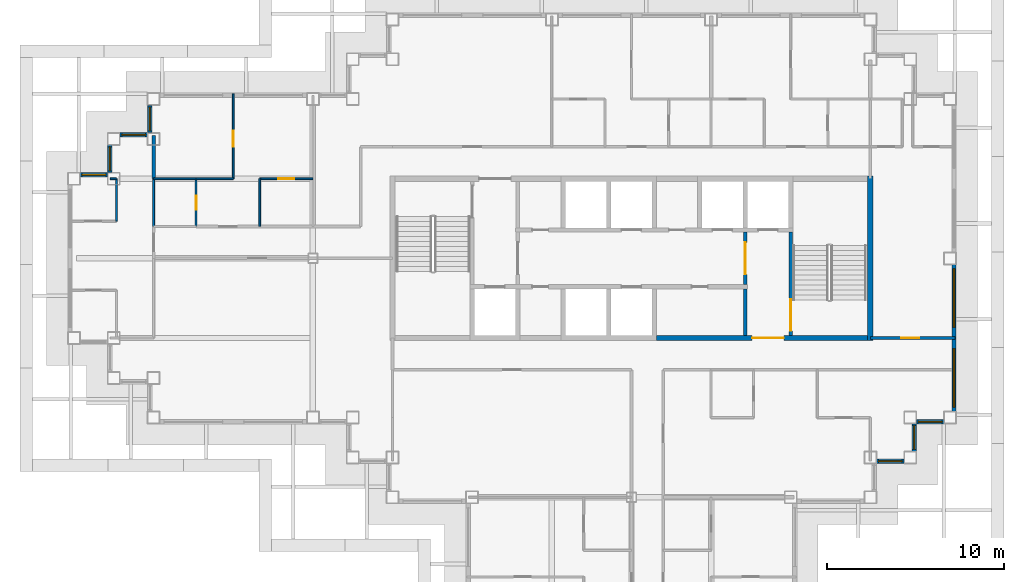
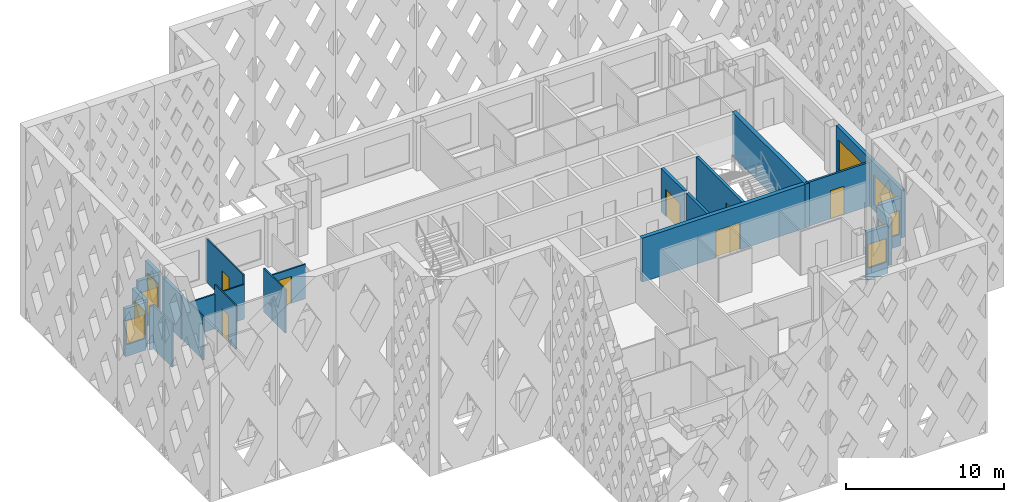
# One storey, part 5 of 17: 24 walls, 9 windows, 7 doors, 16 openings.
"""IFC4 building model written with IfcOpenShell, lengths in metres."""

from ifc_helpers import new_model, si_unit, direction, frame, frame_2d, origin, place, context, subcontext, project, spatial, rectangle, extrude, material, layer, layer_set, type_object, element, fill, save


model = new_model("IFC4")

# Units and contexts
model_context = context("Model", 3, precision=1e-05, world=origin(), true_north=direction((0.0, 1.0)))
body_context = subcontext(model_context, "Body", "Model", "MODEL_VIEW")
ifc_project = project(units=[si_unit("LENGTHUNIT", "METRE"), si_unit("AREAUNIT", "SQUARE_METRE"), si_unit("VOLUMEUNIT", "CUBIC_METRE"), si_unit("PLANEANGLEUNIT", "RADIAN"), si_unit("MASSUNIT", "GRAM", prefix="KILO")], contexts=[model_context])

# Site, building, storey
site_placement = place(None, origin())
site = spatial("IfcSite", under=ifc_project, at=site_placement, CompositionType="ELEMENT")
building_placement = place(site_placement, origin())
building = spatial("IfcBuilding", under=site, at=building_placement, Name="Caravel Reach Hotel and Residences", CompositionType="ELEMENT")
storey_placement = place(building_placement, frame((0.0, 0.0, 192.39990234375)))
storey = spatial("IfcBuildingStorey", under=building, at=storey_placement, Name="L48", CompositionType="ELEMENT", Elevation=192.39990234375)

# Walls
ifc_material_1 = material(Name="Gypsum board on steel stud", Category="steel")
ifc_layer_1 = layer(ifc_material_1, 0.10009765625)
ifc_layer_set_1 = layer_set([ifc_layer_1], Name="Bathroom pod wall 100 mm")
wall_type_1 = type_object("IfcWallType", Name="Bathroom pod wall 100 mm", PredefinedType="PARTITIONING", material=ifc_layer_set_1)
wall_1_placement = place(storey_placement, frame((4.5, 31.5, 0.0), z_axis=(0.0, 0.0, 1.0), x_axis=(1.0, 0.0, 0.0)))
element("IfcWall", 1, at=wall_1_placement, inside=storey, type_object=wall_type_1, Name="L48 wall w082", PredefinedType="PARTITIONING", context=body_context, shape_type="SweptSolid", body=[
    extrude(rectangle(XDim=2.39990234375, YDim=0.10009765625, at=frame_2d((1.199951171875, 0.0))), origin(), (0.0, 0.0, 1.0), 2.68017578125),
])
wall_2_placement = place(storey_placement, frame((4.5, 28.800048828125, 0.0), z_axis=(0.0, 0.0, 1.0), x_axis=(0.0, 1.0, 0.0)))
element("IfcWall", 2, at=wall_2_placement, inside=storey, type_object=wall_type_1, Name="L48 wall w103", PredefinedType="PARTITIONING", context=body_context, shape_type="SweptSolid", body=[
    extrude(rectangle(XDim=2.699951171875, YDim=0.10009765625, at=frame_2d((1.35009765625, 0.0))), origin(), (0.0, 0.0, 1.0), 3.400146484375),
])

# Wall, opening, door
wall_3_placement = place(storey_placement, frame((6.89990234375, 28.800048828125, 0.0), z_axis=(0.0, 0.0, 1.0), x_axis=(0.0, 1.0, 0.0)))
wall_3 = element("IfcWall", 3, at=wall_3_placement, inside=storey, type_object=wall_type_1, Name="L48 wall w107", PredefinedType="PARTITIONING", context=body_context, shape_type="SweptSolid", body=[
    extrude(rectangle(XDim=2.699951171875, YDim=0.10009765625, at=frame_2d((1.35009765625, 0.0))), origin(), (0.0, 0.0, 1.0), 3.400146484375),
])
opening_1_placement = place(wall_3_placement, frame((0.949951171875, 0.0, 0.0)))
opening_1 = element("IfcOpeningElement", 4, at=opening_1_placement, cuts=wall_3, Name="Opening D48-026", PredefinedType="OPENING", context=body_context, shape_type="SweptSolid", body=[
    extrude(rectangle(XDim=0.800048828125, YDim=2.10009765625, at=frame_2d((0.39990234375, 1.050048828125))), frame((0.0, 0.06005859375, 0.0), z_axis=(0.0, -1.0, 0.0), x_axis=(1.0, 0.0, 0.0)), (0.0, 0.0, 1.0), 0.1201171875),
])
ifc_material_2 = material(Name="Timber and steel door leaf", Category="steel")
door_type_1 = type_object("IfcDoorType", Name="Bathroom door 800 x 2100", OperationType="SINGLE_SWING_LEFT", PredefinedType="DOOR", material=ifc_material_2)
door_1_placement = place(opening_1_placement, origin())
door_1 = element("IfcDoor", 5, at=door_1_placement, inside=storey, type_object=door_type_1, Name="door D48-026", OperationType="SINGLE_SWING_RIGHT", OverallHeight=2.10009765625, OverallWidth=0.800048828125, PredefinedType="DOOR", context=body_context, shape_type="SweptSolid", body=[
    extrude(rectangle(XDim=0.800048828125, YDim=2.10009765625, at=frame_2d((0.39990234375, 1.050048828125))), frame((0.0, 0.02490234375, 0.0), z_axis=(0.0, -1.0, 0.0), x_axis=(1.0, 0.0, 0.0)), (0.0, 0.0, 1.0), 0.050048828125),
])
fill(opening_1, door_1)

# Wall
ifc_material_3 = material(Name="Autoclaved aerated block wall")
ifc_layer_2 = layer(ifc_material_3, 0.199951171875)
ifc_layer_set_2 = layer_set([ifc_layer_2], Name="Compartment wall 200 mm EI 120")
wall_type_2 = type_object("IfcWallType", Name="Compartment wall 200 mm EI 120", PredefinedType="PARTITIONING", material=ifc_layer_set_2)
wall_4_placement = place(storey_placement, frame((37.928466796875, 22.64990234375, 0.0), z_axis=(0.0, 0.0, 1.0), x_axis=(0.0, 1.0, 0.0)))
element("IfcWall", 6, at=wall_4_placement, inside=storey, type_object=wall_type_2, Name="L48 store partition", PredefinedType="PARTITIONING", context=body_context, shape_type="SweptSolid", body=[
    extrude(rectangle(XDim=2.625, YDim=0.199951171875, at=frame_2d((1.3125, 0.0))), origin(), (0.0, 0.0, 1.0), 3.400146484375),
])

# Wall, opening, door
ifc_material_4 = material(Name="Concrete C60", Category="concrete")
ifc_layer_3 = layer(ifc_material_4, 0.300048828125)
ifc_layer_set_3 = layer_set([ifc_layer_3], Name="Core wall 300 mm EI 120")
wall_type_3 = type_object("IfcWallType", Name="Core wall 300 mm EI 120", PredefinedType="SHEAR", material=ifc_layer_set_3)
wall_5_placement = place(storey_placement, frame((32.91064453125, 22.5, 0.0), z_axis=(0.0, 0.0, 1.0), x_axis=(1.0, 0.0, 0.0)))
wall_5 = element("IfcWall", 7, at=wall_5_placement, inside=storey, type_object=wall_type_3, Name="L48 core wall S3", PredefinedType="SHEAR", context=body_context, shape_type="SweptSolid", body=[
    extrude(rectangle(XDim=11.939453125, YDim=0.300048828125, at=frame_2d((5.9697265625, 0.0))), origin(), (0.0, 0.0, 1.0), 3.400146484375),
])
opening_2_placement = place(wall_5_placement, frame((5.403564453125, 0.0, 0.0)))
opening_2 = element("IfcOpeningElement", 8, at=opening_2_placement, cuts=wall_5, Name="Opening D48-015", PredefinedType="OPENING", context=body_context, shape_type="SweptSolid", body=[
    extrude(rectangle(XDim=1.800048828125, YDim=2.10009765625, at=frame_2d((0.89990234375, 1.050048828125))), frame((0.0, 0.159912109375, 0.0), z_axis=(0.0, -1.0, 0.0), x_axis=(1.0, 0.0, 0.0)), (0.0, 0.0, 1.0), 0.320068359375),
])
ifc_material_5 = material(Name="Steel fire door leaf", Category="steel")
door_type_2 = type_object("IfcDoorType", Name="Fire lobby door pair 1800 x 2100 EI 90", OperationType="DOUBLE_DOOR_SINGLE_SWING", PredefinedType="DOOR", material=ifc_material_5)
door_2_placement = place(opening_2_placement, origin())
door_2 = element("IfcDoor", 9, at=door_2_placement, inside=storey, type_object=door_type_2, Name="lobby S door pair to corridor", OperationType="DOUBLE_DOOR_SINGLE_SWING", OverallHeight=2.10009765625, OverallWidth=1.800048828125, PredefinedType="DOOR", context=body_context, shape_type="SweptSolid", body=[
    extrude(rectangle(XDim=1.800048828125, YDim=2.10009765625, at=frame_2d((0.89990234375, 1.050048828125))), frame((0.0, 0.02490234375, 0.0), z_axis=(0.0, -1.0, 0.0), x_axis=(1.0, 0.0, 0.0)), (0.0, 0.0, 1.0), 0.050048828125),
])
fill(opening_2, door_2)

# Wall
wall_6_placement = place(storey_placement, frame((45.0, 22.35009765625, 0.0), z_axis=(0.0, 0.0, 1.0), x_axis=(0.0, 1.0, 0.0)))
element("IfcWall", 10, at=wall_6_placement, inside=storey, type_object=wall_type_3, Name="L48 core wall E", PredefinedType="SHEAR", context=body_context, shape_type="SweptSolid", body=[
    extrude(rectangle(XDim=9.2998046875, YDim=0.300048828125, at=frame_2d((4.64990234375, 0.0))), origin(), (0.0, 0.0, 1.0), 3.400146484375),
])

# Wall, opening, door
ifc_material_6 = material(Name="Gypsum board on steel stud, fire-rated", Category="steel")
ifc_layer_4 = layer(ifc_material_6, 0.14990234375)
ifc_layer_set_4 = layer_set([ifc_layer_4], Name="Corridor wall 150 mm EI 60")
wall_type_4 = type_object("IfcWallType", Name="Corridor wall 150 mm EI 60", PredefinedType="PARTITIONING", material=ifc_layer_set_4)
wall_7_placement = place(storey_placement, frame((45.0, 22.5, 0.0), z_axis=(0.0, 0.0, 1.0), x_axis=(1.0, 0.0, 0.0)))
wall_7 = element("IfcWall", 11, at=wall_7_placement, inside=storey, type_object=wall_type_4, Name="L48 wall w006", PredefinedType="PARTITIONING", context=body_context, shape_type="SweptSolid", body=[
    extrude(rectangle(XDim=4.7900390625, YDim=0.14990234375, at=frame_2d((2.39501953125, 0.0))), origin(), (0.0, 0.0, 1.0), 3.400146484375),
])
opening_3_placement = place(wall_7_placement, frame((1.75, 0.0, 0.0)))
opening_3 = element("IfcOpeningElement", 12, at=opening_3_placement, cuts=wall_7, Name="Opening D48-045", PredefinedType="OPENING", context=body_context, shape_type="SweptSolid", body=[
    extrude(rectangle(XDim=1.0, YDim=2.199951171875, at=frame_2d((0.5, 1.10009765625))), frame((0.0, 0.0849609375, 0.0), z_axis=(0.0, -1.0, 0.0), x_axis=(1.0, 0.0, 0.0)), (0.0, 0.0, 1.0), 0.169921875),
])
ifc_material_7 = material(Name="Steel fire door leaf", Category="steel")
door_type_3 = type_object("IfcDoorType", Name="Flat entrance door 1000 x 2200 EI 60", OperationType="SINGLE_SWING_LEFT", PredefinedType="DOOR", material=ifc_material_7)
door_3_placement = place(opening_3_placement, origin())
door_3 = element("IfcDoor", 13, at=door_3_placement, inside=storey, type_object=door_type_3, Name="door D48-045", OperationType="SINGLE_SWING_RIGHT", OverallHeight=2.199951171875, OverallWidth=1.0, PredefinedType="DOOR", context=body_context, shape_type="SweptSolid", body=[
    extrude(rectangle(XDim=1.0, YDim=2.199951171875, at=frame_2d((0.5, 1.10009765625))), frame((0.0, 0.02490234375, 0.0), z_axis=(0.0, -1.0, 0.0), x_axis=(1.0, 0.0, 0.0)), (0.0, 0.0, 1.0), 0.050048828125),
])
fill(opening_3, door_3)

# Wall, opening, window
ifc_material_8 = material(Name="Insulated rainscreen wall, aluminium cladding", Category="aluminium")
ifc_layer_5 = layer(ifc_material_8, 0.25)
ifc_layer_set_5 = layer_set([ifc_layer_5], Name="EW1 Tower rainscreen wall")
wall_type_5 = type_object("IfcWallType", Name="EW1 Tower rainscreen wall", PredefinedType="SOLIDWALL", material=ifc_layer_set_5)
wall_8_placement = place(storey_placement, frame((45.35009765625, 15.52490234375, 0.0), z_axis=(0.0, 0.0, 1.0), x_axis=(1.0, 0.0, 0.0)))
wall_8 = element("IfcWall", 14, at=wall_8_placement, inside=storey, type_object=wall_type_5, Name="External wall L48 S3.1", PredefinedType="SOLIDWALL", context=body_context, shape_type="SweptSolid", body=[
    extrude(rectangle(XDim=1.5498046875, YDim=0.25, at=frame_2d((0.77490234375, 0.0))), origin(), (0.0, 0.0, 1.0), 3.7001953125),
])
opening_4_placement = place(wall_8_placement, frame((0.10009765625, 0.0, 0.89990234375)))
opening_4 = element("IfcOpeningElement", 15, at=opening_4_placement, cuts=wall_8, Name="Opening WN21", PredefinedType="OPENING", context=body_context, shape_type="SweptSolid", body=[
    extrude(rectangle(XDim=1.35009765625, YDim=1.85009765625, at=frame_2d((0.675048828125, 0.925048828125))), frame((0.0, 0.135009765625, 0.0), z_axis=(0.0, -1.0, 0.0), x_axis=(1.0, 0.0, 0.0)), (0.0, 0.0, 1.0), 0.27001953125),
])
ifc_material_9 = material(Name="Dark low-e glazing in black aluminium frame", Category="aluminium")
window_type_1 = type_object("IfcWindowType", Name="Residence bedroom window 1350 x 1850", PartitioningType="SINGLE_PANEL", PredefinedType="WINDOW", material=ifc_material_9)
window_1_placement = place(opening_4_placement, origin())
window_1 = element("IfcWindow", 16, at=window_1_placement, inside=storey, type_object=window_type_1, Name="Window L48 S3.1.1", OverallHeight=1.85009765625, OverallWidth=1.35009765625, PartitioningType="SINGLE_PANEL", PredefinedType="WINDOW", context=body_context, shape_type="SweptSolid", body=[
    extrude(rectangle(XDim=1.35009765625, YDim=1.85009765625, at=frame_2d((0.675048828125, 0.925048828125))), frame((0.0, 0.030029296875, 0.0), z_axis=(0.0, -1.0, 0.0), x_axis=(1.0, 0.0, 0.0)), (0.0, 0.0, 1.0), 0.06005859375),
])
fill(opening_4, window_1)

wall_9_placement = place(storey_placement, frame((47.47509765625, 16.10009765625, 0.0), z_axis=(0.0, 0.0, 1.0), x_axis=(0.0, 1.0, 0.0)))
wall_9 = element("IfcWall", 17, at=wall_9_placement, inside=storey, type_object=wall_type_5, Name="External wall L48 E4.1", PredefinedType="SOLIDWALL", context=body_context, shape_type="SweptSolid", body=[
    extrude(rectangle(XDim=1.5498046875, YDim=0.25, at=frame_2d((0.77490234375, 0.0))), origin(), (0.0, 0.0, 1.0), 3.7001953125),
])
opening_5_placement = place(wall_9_placement, frame((0.10009765625, 0.0, 0.89990234375)))
opening_5 = element("IfcOpeningElement", 18, at=opening_5_placement, cuts=wall_9, Name="Opening WN21", PredefinedType="OPENING", context=body_context, shape_type="SweptSolid", body=[
    extrude(rectangle(XDim=1.35009765625, YDim=1.85009765625, at=frame_2d((0.675048828125, 0.925048828125))), frame((0.0, 0.135009765625, 0.0), z_axis=(0.0, -1.0, 0.0), x_axis=(1.0, 0.0, 0.0)), (0.0, 0.0, 1.0), 0.27001953125),
])
window_2_placement = place(opening_5_placement, origin())
window_2 = element("IfcWindow", 19, at=window_2_placement, inside=storey, type_object=window_type_1, Name="Window L48 E4.1.1", OverallHeight=1.85009765625, OverallWidth=1.35009765625, PartitioningType="SINGLE_PANEL", PredefinedType="WINDOW", context=body_context, shape_type="SweptSolid", body=[
    extrude(rectangle(XDim=1.35009765625, YDim=1.85009765625, at=frame_2d((0.675048828125, 0.925048828125))), frame((0.0, 0.030029296875, 0.0), z_axis=(0.0, -1.0, 0.0), x_axis=(1.0, 0.0, 0.0)), (0.0, 0.0, 1.0), 0.06005859375),
])
fill(opening_5, window_2)

wall_10_placement = place(storey_placement, frame((47.60009765625, 17.77490234375, 0.0), z_axis=(0.0, 0.0, 1.0), x_axis=(1.0, 0.0, 0.0)))
wall_10 = element("IfcWall", 20, at=wall_10_placement, inside=storey, type_object=wall_type_5, Name="External wall L48 S5.1", PredefinedType="SOLIDWALL", context=body_context, shape_type="SweptSolid", body=[
    extrude(rectangle(XDim=1.5498046875, YDim=0.25, at=frame_2d((0.77490234375, 0.0))), origin(), (0.0, 0.0, 1.0), 3.7001953125),
])
opening_6_placement = place(wall_10_placement, frame((0.10009765625, 0.0, 0.89990234375)))
opening_6 = element("IfcOpeningElement", 21, at=opening_6_placement, cuts=wall_10, Name="Opening WN21", PredefinedType="OPENING", context=body_context, shape_type="SweptSolid", body=[
    extrude(rectangle(XDim=1.35009765625, YDim=1.85009765625, at=frame_2d((0.675048828125, 0.925048828125))), frame((0.0, 0.135009765625, 0.0), z_axis=(0.0, -1.0, 0.0), x_axis=(1.0, 0.0, 0.0)), (0.0, 0.0, 1.0), 0.27001953125),
])
window_3_placement = place(opening_6_placement, origin())
window_3 = element("IfcWindow", 22, at=window_3_placement, inside=storey, type_object=window_type_1, Name="Window L48 S5.1.1", OverallHeight=1.85009765625, OverallWidth=1.35009765625, PartitioningType="SINGLE_PANEL", PredefinedType="WINDOW", context=body_context, shape_type="SweptSolid", body=[
    extrude(rectangle(XDim=1.35009765625, YDim=1.85009765625, at=frame_2d((0.675048828125, 0.925048828125))), frame((0.0, 0.030029296875, 0.0), z_axis=(0.0, -1.0, 0.0), x_axis=(1.0, 0.0, 0.0)), (0.0, 0.0, 1.0), 0.06005859375),
])
fill(opening_6, window_3)

# Wall, openings, windows
wall_11_placement = place(storey_placement, frame((49.72509765625, 18.35009765625, 0.0), z_axis=(0.0, 0.0, 1.0), x_axis=(0.0, 1.0, 0.0)))
wall_11 = element("IfcWall", 23, at=wall_11_placement, inside=storey, type_object=wall_type_5, Name="External wall L48 E6.1", PredefinedType="SOLIDWALL", context=body_context, shape_type="SweptSolid", body=[
    extrude(rectangle(XDim=8.2998046875, YDim=0.25, at=frame_2d((4.14990234375, 0.0))), origin(), (0.0, 0.0, 1.0), 3.7001953125),
])
opening_7_placement = place(wall_11_placement, frame((0.25, 0.0, 0.449951171875)))
opening_7 = element("IfcOpeningElement", 24, at=opening_7_placement, cuts=wall_11, Name="Opening WN15", PredefinedType="OPENING", context=body_context, shape_type="SweptSolid", body=[
    extrude(rectangle(XDim=3.300048828125, YDim=2.300048828125, at=frame_2d((1.64990234375, 1.14990234375))), frame((0.0, 0.135009765625, 0.0), z_axis=(0.0, -1.0, 0.0), x_axis=(1.0, 0.0, 0.0)), (0.0, 0.0, 1.0), 0.27001953125),
])
opening_8_placement = place(wall_11_placement, frame((4.75, 0.0, 0.449951171875)))
opening_8 = element("IfcOpeningElement", 25, at=opening_8_placement, cuts=wall_11, Name="Opening WN15", PredefinedType="OPENING", context=body_context, shape_type="SweptSolid", body=[
    extrude(rectangle(XDim=3.300048828125, YDim=2.300048828125, at=frame_2d((1.64990234375, 1.14990234375))), frame((0.0, 0.135009765625, 0.0), z_axis=(0.0, -1.0, 0.0), x_axis=(1.0, 0.0, 0.0)), (0.0, 0.0, 1.0), 0.27001953125),
])
ifc_material_10 = material(Name="Dark low-e glazing in black aluminium frame", Category="aluminium")
window_type_2 = type_object("IfcWindowType", Name="Residence living window 3300 x 2300", PartitioningType="SINGLE_PANEL", PredefinedType="WINDOW", material=ifc_material_10)
window_4_placement = place(opening_7_placement, origin())
window_4 = element("IfcWindow", 26, at=window_4_placement, inside=storey, type_object=window_type_2, Name="Window L48 E6.1.1", OverallHeight=2.300048828125, OverallWidth=3.300048828125, PartitioningType="SINGLE_PANEL", PredefinedType="WINDOW", context=body_context, shape_type="SweptSolid", body=[
    extrude(rectangle(XDim=3.300048828125, YDim=2.300048828125, at=frame_2d((1.64990234375, 1.14990234375))), frame((0.0, 0.030029296875, 0.0), z_axis=(0.0, -1.0, 0.0), x_axis=(1.0, 0.0, 0.0)), (0.0, 0.0, 1.0), 0.06005859375),
])
fill(opening_7, window_4)
window_5_placement = place(opening_8_placement, origin())
window_5 = element("IfcWindow", 27, at=window_5_placement, inside=storey, type_object=window_type_2, Name="Window L48 E6.1.2", OverallHeight=2.300048828125, OverallWidth=3.300048828125, PartitioningType="SINGLE_PANEL", PredefinedType="WINDOW", context=body_context, shape_type="SweptSolid", body=[
    extrude(rectangle(XDim=3.300048828125, YDim=2.300048828125, at=frame_2d((1.64990234375, 1.14990234375))), frame((0.0, 0.030029296875, 0.0), z_axis=(0.0, -1.0, 0.0), x_axis=(1.0, 0.0, 0.0)), (0.0, 0.0, 1.0), 0.06005859375),
])
fill(opening_8, window_5)

# Wall, opening, window
wall_12_placement = place(storey_placement, frame((4.27490234375, 35.64990234375, 0.0), z_axis=(0.0, 0.0, 1.0), x_axis=(0.0, -1.0, 0.0)))
wall_12 = element("IfcWall", 28, at=wall_12_placement, inside=storey, type_object=wall_type_5, Name="External wall L48 W16.1", PredefinedType="SOLIDWALL", context=body_context, shape_type="SweptSolid", body=[
    extrude(rectangle(XDim=1.5498046875, YDim=0.25, at=frame_2d((0.77490234375, 0.0))), origin(), (0.0, 0.0, 1.0), 3.7001953125),
])
opening_9_placement = place(wall_12_placement, frame((0.10009765625, 0.0, 0.89990234375)))
opening_9 = element("IfcOpeningElement", 29, at=opening_9_placement, cuts=wall_12, Name="Opening WN21", PredefinedType="OPENING", context=body_context, shape_type="SweptSolid", body=[
    extrude(rectangle(XDim=1.35009765625, YDim=1.85009765625, at=frame_2d((0.675048828125, 0.925048828125))), frame((0.0, 0.135009765625, 0.0), z_axis=(0.0, -1.0, 0.0), x_axis=(1.0, 0.0, 0.0)), (0.0, 0.0, 1.0), 0.27001953125),
])
window_6_placement = place(opening_9_placement, origin())
window_6 = element("IfcWindow", 30, at=window_6_placement, inside=storey, type_object=window_type_1, Name="Window L48 W16.1.1", OverallHeight=1.85009765625, OverallWidth=1.35009765625, PartitioningType="SINGLE_PANEL", PredefinedType="WINDOW", context=body_context, shape_type="SweptSolid", body=[
    extrude(rectangle(XDim=1.35009765625, YDim=1.85009765625, at=frame_2d((0.675048828125, 0.925048828125))), frame((0.0, 0.030029296875, 0.0), z_axis=(0.0, -1.0, 0.0), x_axis=(1.0, 0.0, 0.0)), (0.0, 0.0, 1.0), 0.06005859375),
])
fill(opening_9, window_6)

wall_13_placement = place(storey_placement, frame((4.14990234375, 33.97509765625, 0.0), z_axis=(0.0, 0.0, 1.0), x_axis=(-1.0, 0.0, 0.0)))
wall_13 = element("IfcWall", 31, at=wall_13_placement, inside=storey, type_object=wall_type_5, Name="External wall L48 N17.1", PredefinedType="SOLIDWALL", context=body_context, shape_type="SweptSolid", body=[
    extrude(rectangle(XDim=1.5498046875, YDim=0.25, at=frame_2d((0.77490234375, 0.0))), origin(), (0.0, 0.0, 1.0), 3.7001953125),
])
opening_10_placement = place(wall_13_placement, frame((0.10009765625, 0.0, 0.89990234375)))
opening_10 = element("IfcOpeningElement", 32, at=opening_10_placement, cuts=wall_13, Name="Opening WN21", PredefinedType="OPENING", context=body_context, shape_type="SweptSolid", body=[
    extrude(rectangle(XDim=1.35009765625, YDim=1.85009765625, at=frame_2d((0.675048828125, 0.925048828125))), frame((0.0, 0.135009765625, 0.0), z_axis=(0.0, -1.0, 0.0), x_axis=(1.0, 0.0, 0.0)), (0.0, 0.0, 1.0), 0.27001953125),
])
window_7_placement = place(opening_10_placement, origin())
window_7 = element("IfcWindow", 33, at=window_7_placement, inside=storey, type_object=window_type_1, Name="Window L48 N17.1.1", OverallHeight=1.85009765625, OverallWidth=1.35009765625, PartitioningType="SINGLE_PANEL", PredefinedType="WINDOW", context=body_context, shape_type="SweptSolid", body=[
    extrude(rectangle(XDim=1.35009765625, YDim=1.85009765625, at=frame_2d((0.675048828125, 0.925048828125))), frame((0.0, 0.030029296875, 0.0), z_axis=(0.0, -1.0, 0.0), x_axis=(1.0, 0.0, 0.0)), (0.0, 0.0, 1.0), 0.06005859375),
])
fill(opening_10, window_7)

wall_14_placement = place(storey_placement, frame((2.02490234375, 33.39990234375, 0.0), z_axis=(0.0, 0.0, 1.0), x_axis=(0.0, -1.0, 0.0)))
wall_14 = element("IfcWall", 34, at=wall_14_placement, inside=storey, type_object=wall_type_5, Name="External wall L48 W18.1", PredefinedType="SOLIDWALL", context=body_context, shape_type="SweptSolid", body=[
    extrude(rectangle(XDim=1.5498046875, YDim=0.25, at=frame_2d((0.77490234375, 0.0))), origin(), (0.0, 0.0, 1.0), 3.7001953125),
])
opening_11_placement = place(wall_14_placement, frame((0.10009765625, 0.0, 0.89990234375)))
opening_11 = element("IfcOpeningElement", 35, at=opening_11_placement, cuts=wall_14, Name="Opening WN21", PredefinedType="OPENING", context=body_context, shape_type="SweptSolid", body=[
    extrude(rectangle(XDim=1.35009765625, YDim=1.85009765625, at=frame_2d((0.675048828125, 0.925048828125))), frame((0.0, 0.135009765625, 0.0), z_axis=(0.0, -1.0, 0.0), x_axis=(1.0, 0.0, 0.0)), (0.0, 0.0, 1.0), 0.27001953125),
])
window_8_placement = place(opening_11_placement, origin())
window_8 = element("IfcWindow", 36, at=window_8_placement, inside=storey, type_object=window_type_1, Name="Window L48 W18.1.1", OverallHeight=1.85009765625, OverallWidth=1.35009765625, PartitioningType="SINGLE_PANEL", PredefinedType="WINDOW", context=body_context, shape_type="SweptSolid", body=[
    extrude(rectangle(XDim=1.35009765625, YDim=1.85009765625, at=frame_2d((0.675048828125, 0.925048828125))), frame((0.0, 0.030029296875, 0.0), z_axis=(0.0, -1.0, 0.0), x_axis=(1.0, 0.0, 0.0)), (0.0, 0.0, 1.0), 0.06005859375),
])
fill(opening_11, window_8)

wall_15_placement = place(storey_placement, frame((1.89990234375, 31.72509765625, 0.0), z_axis=(0.0, 0.0, 1.0), x_axis=(-1.0, 0.0, 0.0)))
wall_15 = element("IfcWall", 37, at=wall_15_placement, inside=storey, type_object=wall_type_5, Name="External wall L48 N19.1", PredefinedType="SOLIDWALL", context=body_context, shape_type="SweptSolid", body=[
    extrude(rectangle(XDim=1.5498046875, YDim=0.25, at=frame_2d((0.77490234375, 0.0))), origin(), (0.0, 0.0, 1.0), 3.7001953125),
])
opening_12_placement = place(wall_15_placement, frame((0.10009765625, 0.0, 0.89990234375)))
opening_12 = element("IfcOpeningElement", 38, at=opening_12_placement, cuts=wall_15, Name="Opening WN21", PredefinedType="OPENING", context=body_context, shape_type="SweptSolid", body=[
    extrude(rectangle(XDim=1.35009765625, YDim=1.85009765625, at=frame_2d((0.675048828125, 0.925048828125))), frame((0.0, 0.135009765625, 0.0), z_axis=(0.0, -1.0, 0.0), x_axis=(1.0, 0.0, 0.0)), (0.0, 0.0, 1.0), 0.27001953125),
])
window_9_placement = place(opening_12_placement, origin())
window_9 = element("IfcWindow", 39, at=window_9_placement, inside=storey, type_object=window_type_1, Name="Window L48 N19.1.1", OverallHeight=1.85009765625, OverallWidth=1.35009765625, PartitioningType="SINGLE_PANEL", PredefinedType="WINDOW", context=body_context, shape_type="SweptSolid", body=[
    extrude(rectangle(XDim=1.35009765625, YDim=1.85009765625, at=frame_2d((0.675048828125, 0.925048828125))), frame((0.0, 0.030029296875, 0.0), z_axis=(0.0, -1.0, 0.0), x_axis=(1.0, 0.0, 0.0)), (0.0, 0.0, 1.0), 0.06005859375),
])
fill(opening_12, window_9)

# Wall, opening, door
ifc_material_11 = material(Name="Autoclaved aerated block wall")
ifc_layer_6 = layer(ifc_material_11, 0.199951171875)
ifc_layer_set_6 = layer_set([ifc_layer_6], Name="Fire lobby wall 200 mm EI 120")
wall_type_6 = type_object("IfcWallType", Name="Fire lobby wall 200 mm EI 120", PredefinedType="PARTITIONING", material=ifc_layer_set_6)
wall_16_placement = place(storey_placement, frame((37.928466796875, 25.52490234375, 0.0), z_axis=(0.0, 0.0, 1.0), x_axis=(0.0, 1.0, 0.0)))
wall_16 = element("IfcWall", 40, at=wall_16_placement, inside=storey, type_object=wall_type_6, Name="L48 lobby E wall", PredefinedType="PARTITIONING", context=body_context, shape_type="SweptSolid", body=[
    extrude(rectangle(XDim=2.9501953125, YDim=0.199951171875, at=frame_2d((1.47509765625, 0.0))), origin(), (0.0, 0.0, 1.0), 3.400146484375),
])
opening_13_placement = place(wall_16_placement, frame((0.574951171875, 0.0, 0.0)))
opening_13 = element("IfcOpeningElement", 41, at=opening_13_placement, cuts=wall_16, Name="Opening D48-013", PredefinedType="OPENING", context=body_context, shape_type="SweptSolid", body=[
    extrude(rectangle(XDim=1.800048828125, YDim=2.10009765625, at=frame_2d((0.89990234375, 1.050048828125))), frame((0.0, 0.10986328125, 0.0), z_axis=(0.0, -1.0, 0.0), x_axis=(1.0, 0.0, 0.0)), (0.0, 0.0, 1.0), 0.219970703125),
])
door_4_placement = place(opening_13_placement, origin())
door_4 = element("IfcDoor", 42, at=door_4_placement, inside=storey, type_object=door_type_2, Name="lobby E door pair", OperationType="DOUBLE_DOOR_SINGLE_SWING", OverallHeight=2.10009765625, OverallWidth=1.800048828125, PredefinedType="DOOR", context=body_context, shape_type="SweptSolid", body=[
    extrude(rectangle(XDim=1.800048828125, YDim=2.10009765625, at=frame_2d((0.89990234375, 1.050048828125))), frame((0.0, 0.02490234375, 0.0), z_axis=(0.0, -1.0, 0.0), x_axis=(1.0, 0.0, 0.0)), (0.0, 0.0, 1.0), 0.050048828125),
])
fill(opening_13, door_4)

# Wall
ifc_material_12 = material(Name="Gypsum board on steel stud", Category="steel")
ifc_layer_7 = layer(ifc_material_12, 0.10009765625)
ifc_layer_set_7 = layer_set([ifc_layer_7], Name="Partition 100 mm")
wall_type_7 = type_object("IfcWallType", Name="Partition 100 mm", PredefinedType="PARTITIONING", material=ifc_layer_set_7)
wall_17_placement = place(storey_placement, frame((6.89990234375, 31.5, 0.0), z_axis=(0.0, 0.0, 1.0), x_axis=(1.0, 0.0, 0.0)))
element("IfcWall", 43, at=wall_17_placement, inside=storey, type_object=wall_type_7, Name="L48 wall w036", PredefinedType="PARTITIONING", context=body_context, shape_type="SweptSolid", body=[
    extrude(rectangle(XDim=2.10009765625, YDim=0.10009765625, at=frame_2d((1.050048828125, 0.0))), origin(), (0.0, 0.0, 1.0), 2.68017578125),
])

# Wall, opening, door
wall_18_placement = place(storey_placement, frame((10.5, 31.5, 0.0), z_axis=(0.0, 0.0, 1.0), x_axis=(1.0, 0.0, 0.0)))
wall_18 = element("IfcWall", 44, at=wall_18_placement, inside=storey, type_object=wall_type_7, Name="L48 wall w037", PredefinedType="PARTITIONING", context=body_context, shape_type="SweptSolid", body=[
    extrude(rectangle(XDim=3.0, YDim=0.10009765625, at=frame_2d((1.5, 0.0))), origin(), (0.0, 0.0, 1.0), 2.68017578125),
])
opening_14_placement = place(wall_18_placement, frame((1.050048828125, 0.0, 0.0)))
opening_14 = element("IfcOpeningElement", 45, at=opening_14_placement, cuts=wall_18, Name="Opening D48-027", PredefinedType="OPENING", context=body_context, shape_type="SweptSolid", body=[
    extrude(rectangle(XDim=0.89990234375, YDim=2.10009765625, at=frame_2d((0.449951171875, 1.050048828125))), frame((0.0, 0.06005859375, 0.0), z_axis=(0.0, -1.0, 0.0), x_axis=(1.0, 0.0, 0.0)), (0.0, 0.0, 1.0), 0.1201171875),
])
ifc_material_13 = material(Name="Timber and steel door leaf", Category="steel")
door_type_4 = type_object("IfcDoorType", Name="Door 900 x 2100 timber", OperationType="SINGLE_SWING_LEFT", PredefinedType="DOOR", material=ifc_material_13)
door_5_placement = place(opening_14_placement, origin())
door_5 = element("IfcDoor", 46, at=door_5_placement, inside=storey, type_object=door_type_4, Name="door D48-027", OperationType="SINGLE_SWING_LEFT", OverallHeight=2.10009765625, OverallWidth=0.89990234375, PredefinedType="DOOR", context=body_context, shape_type="SweptSolid", body=[
    extrude(rectangle(XDim=0.89990234375, YDim=2.10009765625, at=frame_2d((0.449951171875, 1.050048828125))), frame((0.0, 0.02490234375, 0.0), z_axis=(0.0, -1.0, 0.0), x_axis=(1.0, 0.0, 0.0)), (0.0, 0.0, 1.0), 0.050048828125),
])
fill(opening_14, door_5)

# Walls
wall_19_placement = place(storey_placement, frame((2.06005859375, 31.5, 0.0), z_axis=(0.0, 0.0, 1.0), x_axis=(1.0, 0.0, 0.0)))
element("IfcWall", 47, at=wall_19_placement, inside=storey, type_object=wall_type_7, Name="L48 wall w038", PredefinedType="PARTITIONING", context=body_context, shape_type="SweptSolid", body=[
    extrude(rectangle(XDim=0.33984375, YDim=0.10009765625, at=frame_2d((0.169921875, 0.0))), origin(), (0.0, 0.0, 1.0), 3.400146484375),
])
wall_20_placement = place(storey_placement, frame((10.5, 28.800048828125, 0.0), z_axis=(0.0, 0.0, 1.0), x_axis=(0.0, 1.0, 0.0)))
element("IfcWall", 48, at=wall_20_placement, inside=storey, type_object=wall_type_7, Name="L48 wall w047", PredefinedType="PARTITIONING", context=body_context, shape_type="SweptSolid", body=[
    extrude(rectangle(XDim=2.699951171875, YDim=0.10009765625, at=frame_2d((1.35009765625, 0.0))), origin(), (0.0, 0.0, 1.0), 3.400146484375),
])
wall_21_placement = place(storey_placement, frame((2.39990234375, 29.10009765625, 0.0), z_axis=(0.0, 0.0, 1.0), x_axis=(0.0, 1.0, 0.0)))
element("IfcWall", 49, at=wall_21_placement, inside=storey, type_object=wall_type_7, Name="L48 wall w052", PredefinedType="PARTITIONING", context=body_context, shape_type="SweptSolid", body=[
    extrude(rectangle(XDim=2.39990234375, YDim=0.10009765625, at=frame_2d((1.199951171875, 0.0))), origin(), (0.0, 0.0, 1.0), 3.400146484375),
])

# Wall, opening, door
wall_22_placement = place(storey_placement, frame((9.0, 31.5, 0.0), z_axis=(0.0, 0.0, 1.0), x_axis=(0.0, 1.0, 0.0)))
wall_22 = element("IfcWall", 50, at=wall_22_placement, inside=storey, type_object=wall_type_7, Name="L48 wall w069", PredefinedType="PARTITIONING", context=body_context, shape_type="SweptSolid", body=[
    extrude(rectangle(XDim=4.7900390625, YDim=0.10009765625, at=frame_2d((2.39501953125, 0.0))), origin(), (0.0, 0.0, 1.0), 3.400146484375),
])
opening_15_placement = place(wall_22_placement, frame((1.800048828125, 0.0, 0.0)))
opening_15 = element("IfcOpeningElement", 51, at=opening_15_placement, cuts=wall_22, Name="Opening D48-028", PredefinedType="OPENING", context=body_context, shape_type="SweptSolid", body=[
    extrude(rectangle(XDim=0.89990234375, YDim=2.10009765625, at=frame_2d((0.449951171875, 1.050048828125))), frame((0.0, 0.06005859375, 0.0), z_axis=(0.0, -1.0, 0.0), x_axis=(1.0, 0.0, 0.0)), (0.0, 0.0, 1.0), 0.1201171875),
])
door_6_placement = place(opening_15_placement, origin())
door_6 = element("IfcDoor", 52, at=door_6_placement, inside=storey, type_object=door_type_4, Name="door D48-028", OperationType="SINGLE_SWING_LEFT", OverallHeight=2.10009765625, OverallWidth=0.89990234375, PredefinedType="DOOR", context=body_context, shape_type="SweptSolid", body=[
    extrude(rectangle(XDim=0.89990234375, YDim=2.10009765625, at=frame_2d((0.449951171875, 1.050048828125))), frame((0.0, 0.02490234375, 0.0), z_axis=(0.0, -1.0, 0.0), x_axis=(1.0, 0.0, 0.0)), (0.0, 0.0, 1.0), 0.050048828125),
])
fill(opening_15, door_6)

# Wall
ifc_material_14 = material(Name="Autoclaved aerated block wall")
ifc_layer_8 = layer(ifc_material_14, 0.199951171875)
ifc_layer_set_8 = layer_set([ifc_layer_8], Name="Party wall 200 mm EI 60")
wall_type_8 = type_object("IfcWallType", Name="Party wall 200 mm EI 60", PredefinedType="PARTITIONING", material=ifc_layer_set_8)
wall_23_placement = place(storey_placement, frame((4.5, 31.5009765625, 0.0), z_axis=(0.0, 0.0, 1.0), x_axis=(0.0, 1.0, 0.0)))
element("IfcWall", 53, at=wall_23_placement, inside=storey, type_object=wall_type_8, Name="L48 wall w075", PredefinedType="PARTITIONING", context=body_context, shape_type="SweptSolid", body=[
    extrude(rectangle(XDim=2.43896484375, YDim=0.199951171875, at=frame_2d((1.219482421875, 0.0))), origin(), (0.0, 0.0, 1.0), 3.400146484375),
])

# Wall, opening, door
ifc_material_15 = material(Name="Concrete C60", Category="concrete")
ifc_layer_9 = layer(ifc_material_15, 0.199951171875)
ifc_layer_set_9 = layer_set([ifc_layer_9], Name="Stair enclosure wall 200 mm EI 120")
wall_type_9 = type_object("IfcWallType", Name="Stair enclosure wall 200 mm EI 120", PredefinedType="SHEAR", material=ifc_layer_set_9)
wall_24_placement = place(storey_placement, frame((40.5, 22.64990234375, 0.0), z_axis=(0.0, 0.0, 1.0), x_axis=(0.0, 1.0, 0.0)))
wall_24 = element("IfcWall", 54, at=wall_24_placement, inside=storey, type_object=wall_type_9, Name="L48 stair B wall", PredefinedType="SHEAR", context=body_context, shape_type="SweptSolid", body=[
    extrude(rectangle(XDim=5.8251953125, YDim=0.199951171875, at=frame_2d((2.91259765625, 0.0))), origin(), (0.0, 0.0, 1.0), 3.400146484375),
])
opening_16_placement = place(wall_24_placement, frame((0.25, 0.0, 0.0)))
opening_16 = element("IfcOpeningElement", 55, at=opening_16_placement, cuts=wall_24, Name="Opening D48-011", PredefinedType="OPENING", context=body_context, shape_type="SweptSolid", body=[
    extrude(rectangle(XDim=1.800048828125, YDim=2.10009765625, at=frame_2d((0.89990234375, 1.050048828125))), frame((0.0, 0.10986328125, 0.0), z_axis=(0.0, -1.0, 0.0), x_axis=(1.0, 0.0, 0.0)), (0.0, 0.0, 1.0), 0.219970703125),
])
ifc_material_16 = material(Name="Steel fire door leaf", Category="steel")
door_type_5 = type_object("IfcDoorType", Name="Stair door pair 1800 x 2100 EI 90", OperationType="DOUBLE_DOOR_SINGLE_SWING", PredefinedType="DOOR", material=ifc_material_16)
door_7_placement = place(opening_16_placement, origin())
door_7 = element("IfcDoor", 56, at=door_7_placement, inside=storey, type_object=door_type_5, Name="stair B door pair", OperationType="DOUBLE_DOOR_SINGLE_SWING", OverallHeight=2.10009765625, OverallWidth=1.800048828125, PredefinedType="DOOR", context=body_context, shape_type="SweptSolid", body=[
    extrude(rectangle(XDim=1.800048828125, YDim=2.10009765625, at=frame_2d((0.89990234375, 1.050048828125))), frame((0.0, 0.02490234375, 0.0), z_axis=(0.0, -1.0, 0.0), x_axis=(1.0, 0.0, 0.0)), (0.0, 0.0, 1.0), 0.050048828125),
])
fill(opening_16, door_7)

save(model, "model.ifc")
